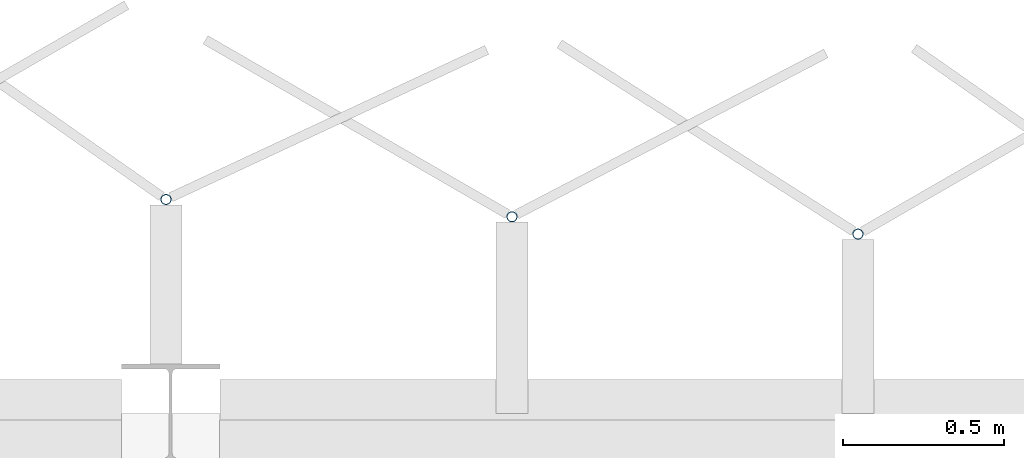
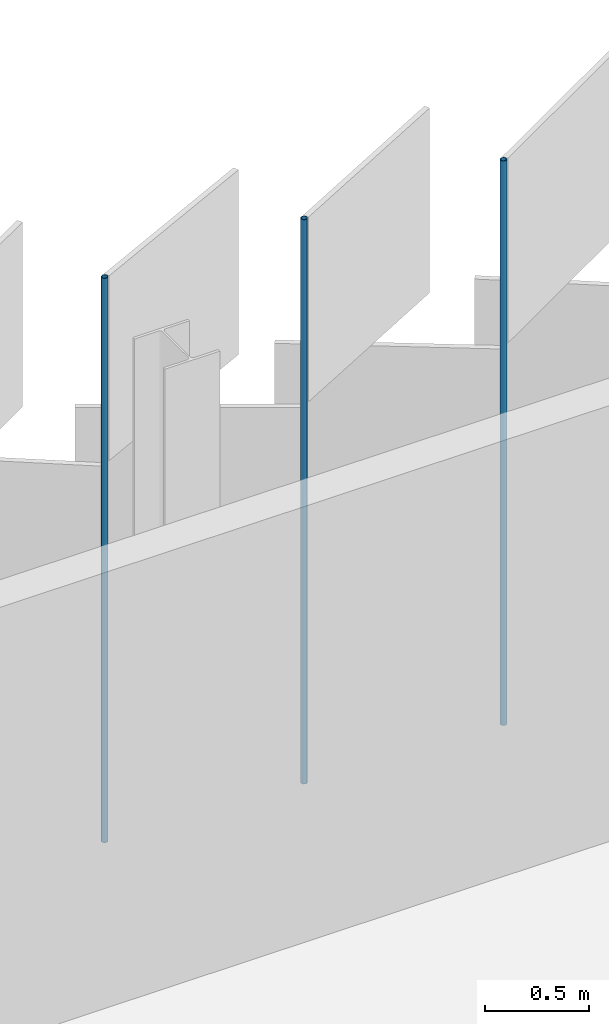
# One storey, part 134 of 198: 3 discrete accessories.
"""IFC4 building model written with IfcOpenShell, lengths in metres."""

import ifcopenshell
import ifcopenshell.guid

model = None  # the IFC model being written
_history = None  # IfcOwnerHistory: only IFC2X3 demands one
_inside = {}  # id of a spatial element -> (the spatial element, [elements in it])
_under = {}  # id of a project, library or spatial element -> (it, [spatial elements below it])
_declared = {}  # id of a project -> (the project, [libraries it declares])
_typed = {}  # id of a type object -> (the type object, [elements of that type])
_made_of = {}  # id of a material, layer set ... -> (it, [elements and type objects made of it])


def new_model(schema):
    """Start an empty IFC model of exactly this schema.

    Asked for "IFC4X3", IfcOpenShell would pick the latest addendum, in which some entities
    have other attributes; the version numbers below select the first issue.
    IFC2X3 requires an IfcOwnerHistory on every rooted entity: one is made here for all.
    """
    global model, _history
    if schema == "IFC4X3":
        model = ifcopenshell.file(schema_version=(4, 3, 0, 0))
    else:
        model = ifcopenshell.file(schema=schema)
    _inside.clear()
    _under.clear()
    _declared.clear()
    _typed.clear()
    _made_of.clear()
    _history = None
    if model.schema == "IFC2X3":
        org = make("IfcOrganization", Name="unknown")
        user = make(
            "IfcPersonAndOrganization",
            ThePerson=make("IfcPerson", FamilyName="unknown"),
            TheOrganization=org,
        )
        app = make(
            "IfcApplication",
            ApplicationDeveloper=org,
            Version="unknown",
            ApplicationFullName="unknown",
            ApplicationIdentifier="unknown",
        )
        _history = make(
            "IfcOwnerHistory",
            OwningUser=user,
            OwningApplication=app,
            ChangeAction="ADDED",
            CreationDate=0,
        )
    return model


def make(cls, **values):
    """One entity of the class cls with the attributes given. An attribute that is None is left unset."""
    return model.create_entity(
        cls, **{name: value for name, value in values.items() if value is not None}
    )


def rooted(cls, **values):
    """An entity with a GlobalId (a new one), such as an element, a storey or a relation."""
    return make(cls, GlobalId=ifcopenshell.guid.new(), OwnerHistory=_history, **values)


def si_unit(unit_type, name, prefix=None):
    """IfcSIUnit, for example si_unit("LENGTHUNIT", "METRE", prefix="MILLI")."""
    return make("IfcSIUnit", UnitType=unit_type, Prefix=prefix, Name=name)


def assignment(units):
    """IfcUnitAssignment: the units of a project."""
    return None if units is None else make("IfcUnitAssignment", Units=units)


def point(xyz):
    """IfcCartesianPoint."""
    return None if xyz is None else make("IfcCartesianPoint", Coordinates=xyz)


def direction(xyz):
    """IfcDirection."""
    return None if xyz is None else make("IfcDirection", DirectionRatios=xyz)


def frame(location, z_axis=None, x_axis=None):
    """IfcAxis2Placement3D, a coordinate frame: its origin and axes. An axis left out is left unset."""
    return make(
        "IfcAxis2Placement3D",
        Location=point(location),
        Axis=direction(z_axis),
        RefDirection=direction(x_axis),
    )


def frame_2d(location, x_axis=None):
    """IfcAxis2Placement2D, a coordinate frame in the plane: its origin and x axis."""
    return make(
        "IfcAxis2Placement2D", Location=point(location), RefDirection=direction(x_axis)
    )


def origin():
    """The frame at (0, 0, 0) with its axes left unset."""
    return frame((0.0, 0.0, 0.0))


def origin_2d():
    """The frame at (0, 0) in the plane with its x axis left unset."""
    return frame_2d((0.0, 0.0))


def place(relative_to, where):
    """IfcLocalPlacement: puts the frame where relative to a parent placement (None: the world)."""
    return make(
        "IfcLocalPlacement", PlacementRelTo=relative_to, RelativePlacement=where
    )


def context(
    kind, dimensions, precision=None, world=None, true_north=None, identifier=None
):
    """IfcGeometricRepresentationContext, for example the 3D "Model" context."""
    return make(
        "IfcGeometricRepresentationContext",
        ContextIdentifier=identifier,
        ContextType=kind,
        CoordinateSpaceDimension=dimensions,
        Precision=precision,
        WorldCoordinateSystem=world,
        TrueNorth=true_north,
    )


def subcontext(parent, identifier, kind, view, scale=None):
    """IfcGeometricRepresentationSubContext, for example "Body" below "Model"."""
    return make(
        "IfcGeometricRepresentationSubContext",
        ContextIdentifier=identifier,
        ContextType=kind,
        ParentContext=parent,
        TargetScale=scale,
        TargetView=view,
    )


def project(units=None, contexts=None):
    """IfcProject with its units and contexts."""
    return rooted(
        "IfcProject",
        Name="project",
        RepresentationContexts=contexts,
        UnitsInContext=assignment(units),
    )


def spatial(cls, under=None, at=None, **own):
    """A site, building, storey or space (cls), placed at a placement, below another one or the project."""
    s = rooted(cls, ObjectPlacement=at, **own)
    if under is not None:
        _under.setdefault(under.id(), (under, []))[1].append(s)
    return s


def profile(cls, at=None, kind="AREA", **sizes):
    """A parametric profile (cls). Its sizes go by their IFC names, for example OverallWidth=200.0."""
    return make(cls, ProfileType=kind, Position=at, **sizes)


def hollow_circle(**sizes):
    """IfcCircleHollowProfileDef."""
    return profile("IfcCircleHollowProfileDef", **sizes)


def extrude(swept, where, along, depth):
    """IfcExtrudedAreaSolid: the profile swept, set in the frame where, extruded along a direction by depth."""
    return make(
        "IfcExtrudedAreaSolid",
        SweptArea=swept,
        Position=where,
        ExtrudedDirection=direction(along),
        Depth=depth,
    )


def shape(context_of_items, identifier, shape_type, items):
    """IfcShapeRepresentation: the items that make up one representation, for example the "Body"."""
    return make(
        "IfcShapeRepresentation",
        ContextOfItems=context_of_items,
        RepresentationIdentifier=identifier,
        RepresentationType=shape_type,
        Items=items,
    )


def material(Name=None, Category=None):
    """IfcMaterial."""
    return make("IfcMaterial", Name=Name, Category=Category)


def material_profile(
    of_material, cross_section, Name=None, Category=None, Priority=None
):
    """IfcMaterialProfile: a cross section and its material."""
    return make(
        "IfcMaterialProfile",
        Name=Name,
        Material=of_material,
        Profile=cross_section,
        Priority=Priority,
        Category=Category,
    )


def profile_set(profiles, Name=None, composite=None):
    """IfcMaterialProfileSet."""
    return make(
        "IfcMaterialProfileSet",
        Name=Name,
        MaterialProfiles=profiles,
        CompositeProfile=composite,
    )


def made_of(thing, what):
    """Note that an element or type object is made of a material, layer set ...; save() writes the relation."""
    if what is not None:
        _made_of.setdefault(what.id(), (what, []))[1].append(thing)
    return thing


def type_object(cls, material=None, **own):
    """A type object (cls), such as IfcWallType, which elements share."""
    return made_of(rooted(cls, **own), material)


def element(
    cls,
    number,
    at=None,
    inside=None,
    cuts=None,
    type_object=None,
    material=None,
    context=None,
    identifier="Body",
    shape_type=None,
    held_by="IfcProductDefinitionShape",
    body=None,
    shapes=None,
    **own,
):
    """One element of the class cls, such as IfcWall. Its Tag is "e" and its number.

    at: its placement. inside: the storey or other place that contains it. cuts: it is an
    opening in that element (IfcRelVoidsElement). A single representation is given by context,
    identifier, shape_type and body (its items); several are given by shapes. held_by: the class
    of the entity that holds the representations. save() writes the other relations.
    """
    e = rooted(cls, Tag="e%d" % number, ObjectPlacement=at, **own)
    if body is not None:
        shapes = [shape(context, identifier, shape_type, body)]
    if shapes is not None:
        e.Representation = make(held_by, Representations=shapes)
    if inside is not None:
        _inside.setdefault(inside.id(), (inside, []))[1].append(e)
    if cuts is not None:
        rooted(
            "IfcRelVoidsElement", RelatingBuildingElement=cuts, RelatedOpeningElement=e
        )
    if type_object is not None:
        _typed.setdefault(type_object.id(), (type_object, []))[1].append(e)
    return made_of(e, material)


def aggregate(whole, parts):
    """IfcRelAggregates: a whole, such as a stair, and the parts it consists of."""
    return rooted("IfcRelAggregates", RelatingObject=whole, RelatedObjects=parts)


def save(model, path):
    """Write the relations noted so far, then the file.

    IfcRelAggregates (storeys below a building ...), IfcRelContainedInSpatialStructure (elements
    in a storey), IfcRelDefinesByType, IfcRelAssociatesMaterial and IfcRelDeclares: one each for
    every whole, place, type object, material and project.
    """
    for whole, parts in _under.values():
        aggregate(whole, parts)
    for where, things in _inside.values():
        rooted(
            "IfcRelContainedInSpatialStructure",
            RelatedElements=things,
            RelatingStructure=where,
        )
    for kind, things in _typed.values():
        rooted("IfcRelDefinesByType", RelatedObjects=things, RelatingType=kind)
    for what, things in _made_of.values():
        rooted("IfcRelAssociatesMaterial", RelatedObjects=things, RelatingMaterial=what)
    for by, libraries in _declared.values():
        rooted("IfcRelDeclares", RelatingContext=by, RelatedDefinitions=libraries)
    model.write(path)


model = new_model("IFC4")

# Units and contexts
model_context = context("Model", 3, precision=1e-05, world=origin(), true_north=direction((0.0, 1.0)))
body_context = subcontext(model_context, "Body", "Model", "MODEL_VIEW")
ifc_project = project(units=[si_unit("LENGTHUNIT", "METRE"), si_unit("AREAUNIT", "SQUARE_METRE"), si_unit("VOLUMEUNIT", "CUBIC_METRE"), si_unit("PLANEANGLEUNIT", "RADIAN"), si_unit("MASSUNIT", "GRAM", prefix="KILO")], contexts=[model_context])

# Site, building, storey
site_placement = place(None, origin())
site = spatial("IfcSite", under=ifc_project, at=site_placement, CompositionType="ELEMENT")
building_placement = place(site_placement, origin())
building = spatial("IfcBuilding", under=site, at=building_placement, Name="Parallax Yard Mobility Hub", CompositionType="ELEMENT")
storey_placement = place(building_placement, frame((0.0, 0.0, 6.60009765625)))
storey = spatial("IfcBuildingStorey", under=building, at=storey_placement, Name="L02", CompositionType="ELEMENT", Elevation=6.60009765625)

# Discrete accessories
ifc_material = material(Name="Steel ASTM A500 Gr C, hot-dip galvanised", Category="steel")
ifc_material_profile = material_profile(ifc_material, hollow_circle(Radius=0.016845703125, WallThickness=0.003173828125, at=origin_2d()), Name="CHS 33.7x3.2")
ifc_profile_set = profile_set([ifc_material_profile], Name="Steel ASTM A500 Gr C, hot-dip galvanised")
discrete_accessory_type = type_object("IfcDiscreteAccessoryType", Name="Hinge post CHS 33.7x3.2", PredefinedType="BRACKET", material=ifc_profile_set)
for number, where, z_axis, x_axis, name in (
    (1, (39.62890625, 143.055419921875, 0.0), (0.0, 0.0, 1.0), (1.0, 0.0, 0.0), "Hinge post bay 68.6 level L02"),
    (2, (38.557373046875, 143.10888671875, 0.0), (0.0, 0.0, 1.0), (1.0, 0.0, 0.0), "Hinge post bay 68.7 level L02"),
    (3, (37.48583984375, 143.16259765625, 0.0), (0.0, 0.0, 1.0), (1.0, 0.0, 0.0), "Hinge post bay 69.1 level L02"),
):
    element("IfcDiscreteAccessory", number, at=place(storey_placement, frame(where, z_axis=z_axis, x_axis=x_axis)), inside=storey, type_object=discrete_accessory_type, Name=name, PredefinedType="BRACKET", context=body_context, shape_type="SweptSolid", body=[
        extrude(hollow_circle(Radius=0.016845703125, WallThickness=0.003173828125, at=origin_2d()), origin(), (0.0, 0.0, 1.0), 3.2998046875),
    ])

save(model, "model.ifc")
